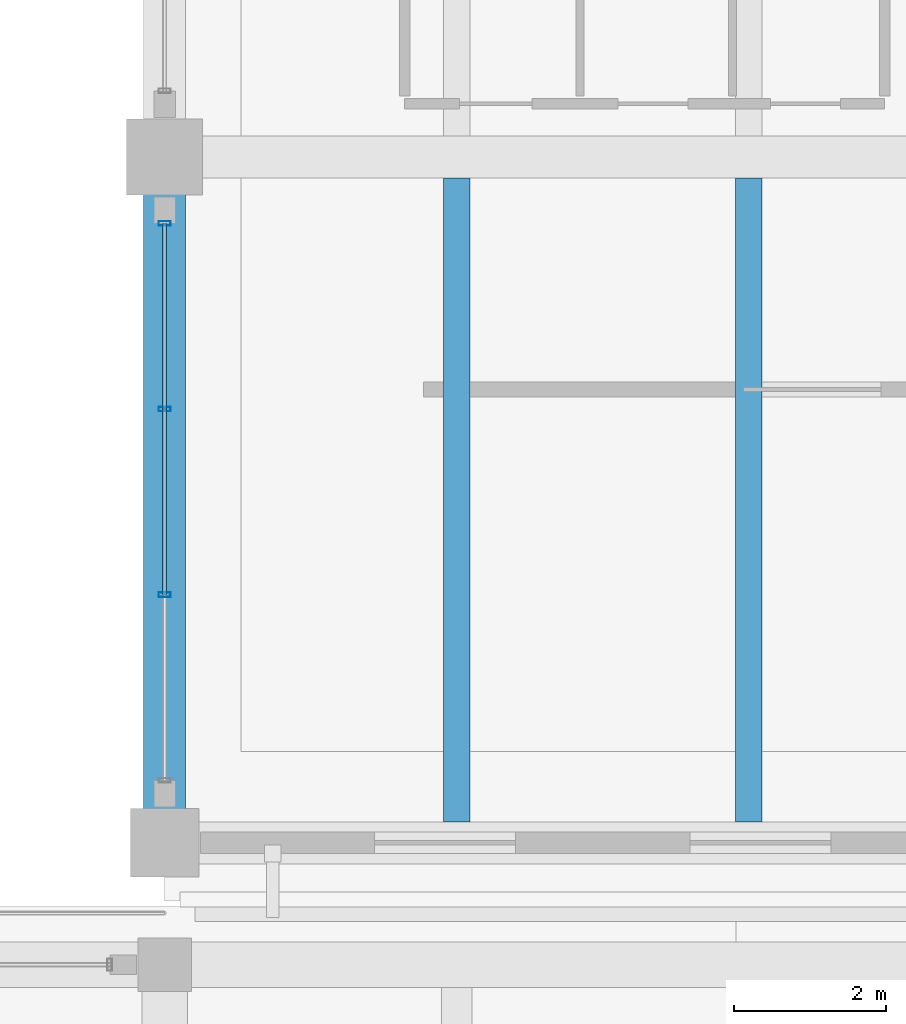
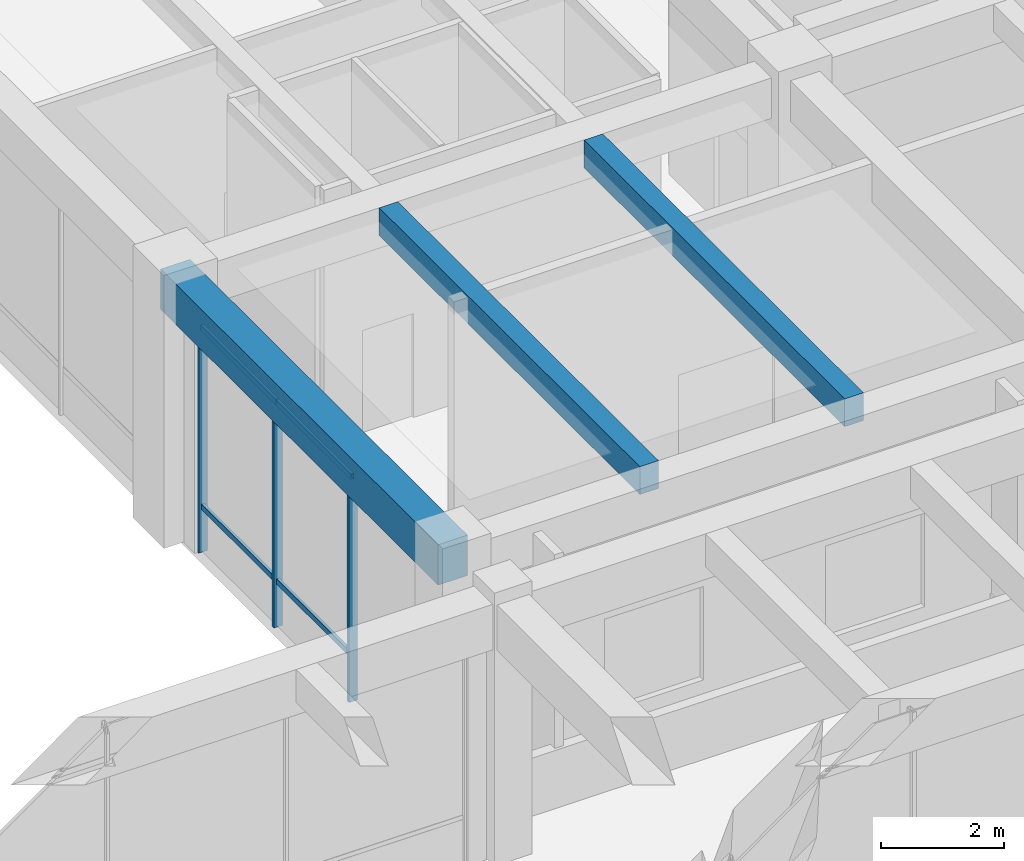
# One storey, part 76 of 148: 7 members, 3 beams, 1 element without a shape of its own.
"""IFC4 building model written with IfcOpenShell, lengths in metres."""

from ifc_helpers import new_model, si_unit, direction, frame, origin, origin_2d, place, context, subcontext, project, spatial, rectangle, hollow_rectangle, extrude, material, material_profile, profile_set, type_object, element, aggregate, save


model = new_model("IFC4")

# Units and contexts
model_context = context("Model", 3, precision=1e-05, world=origin(), true_north=direction((0.0, 1.0)))
body_context = subcontext(model_context, "Body", "Model", "MODEL_VIEW")
ifc_project = project(units=[si_unit("LENGTHUNIT", "METRE"), si_unit("AREAUNIT", "SQUARE_METRE"), si_unit("VOLUMEUNIT", "CUBIC_METRE"), si_unit("PLANEANGLEUNIT", "RADIAN"), si_unit("MASSUNIT", "GRAM", prefix="KILO")], contexts=[model_context])

# Site, building, storey
site_placement = place(None, origin())
site = spatial("IfcSite", under=ifc_project, at=site_placement, CompositionType="ELEMENT")
building_placement = place(site_placement, origin())
building = spatial("IfcBuilding", under=site, at=building_placement, Name="Ologun Quay Terminus", CompositionType="ELEMENT")
storey_placement = place(building_placement, frame((0.0, 0.0, 8.39990234375)))
storey = spatial("IfcBuildingStorey", under=building, at=storey_placement, Name="L02", CompositionType="ELEMENT", Elevation=8.39990234375)

# Curtain wall, members
ifc_material_1 = material(Name="Aluminium 6063-T6", Category="aluminium")
curtain_wall_type = type_object("IfcCurtainWallType", Name="Rain-Garden East Courtyard Curtain Wall L02 9200x5000", PredefinedType="USERDEFINED", material=ifc_material_1)
curtain_wall_placement = place(storey_placement, origin())
curtain_wall = element("IfcCurtainWall", 1, at=curtain_wall_placement, inside=storey, type_object=curtain_wall_type, Name="CW-19 Curtain Wall CW-L02-135", ObjectType="UNITISED CURTAIN WALL", PredefinedType="USERDEFINED")
ifc_material_2 = material(Name="Aluminium 6063-T6", Category="aluminium")
ifc_material_profile_1 = material_profile(ifc_material_2, hollow_rectangle(XDim=0.06005859375, YDim=0.159912109375, WallThickness=0.00390625, at=origin_2d()), Name="ALU 160x60x4")
ifc_profile_set_1 = profile_set([ifc_material_profile_1], Name="Aluminium 6063-T6")
member_type_1 = type_object("IfcMemberType", Name="Courtyard Screen Mullion 160x65", PredefinedType="MULLION", material=ifc_profile_set_1)
member_1_placement = place(storey_placement, frame((115.0, 89.056640625, 0.0), z_axis=(0.0, 0.0, 1.0), x_axis=(0.0, 1.0, 0.0)))
member_1 = element("IfcMember", 2, at=member_1_placement, type_object=member_type_1, Name="CW-L02-135 Mullion 2", PredefinedType="MULLION", context=body_context, shape_type="SweptSolid", body=[
    extrude(hollow_rectangle(XDim=0.06005859375, YDim=0.159912109375, WallThickness=0.00390625, at=origin_2d()), origin(), (0.0, 0.0, 1.0), 5.130126953125),
])
member_2_placement = place(storey_placement, frame((115.0, 91.493408203125, 0.0), z_axis=(0.0, 0.0, 1.0), x_axis=(0.0, 1.0, 0.0)))
member_2 = element("IfcMember", 3, at=member_2_placement, type_object=member_type_1, Name="CW-L02-135 Mullion 3", PredefinedType="MULLION", context=body_context, shape_type="SweptSolid", body=[
    extrude(hollow_rectangle(XDim=0.06005859375, YDim=0.159912109375, WallThickness=0.00390625, at=origin_2d()), origin(), (0.0, 0.0, 1.0), 5.130126953125),
])
member_3_placement = place(storey_placement, frame((115.0, 93.929931640625, 0.0), z_axis=(0.0, 0.0, 1.0), x_axis=(0.0, 1.0, 0.0)))
member_3 = element("IfcMember", 4, at=member_3_placement, type_object=member_type_1, Name="CW-L02-135 Mullion 4", PredefinedType="MULLION", context=body_context, shape_type="SweptSolid", body=[
    extrude(hollow_rectangle(XDim=0.06005859375, YDim=0.159912109375, WallThickness=0.00390625, at=origin_2d()), origin(), (0.0, 0.0, 1.0), 5.130126953125),
])
ifc_material_3 = material(Name="Aluminium 6063-T6", Category="aluminium")
ifc_material_profile_2 = material_profile(ifc_material_3, hollow_rectangle(XDim=0.054931640625, YDim=0.110107421875, WallThickness=0.00390625, at=origin_2d()), Name="ALU 110x55x4")
ifc_profile_set_2 = profile_set([ifc_material_profile_2], Name="Aluminium 6063-T6")
member_type_2 = type_object("IfcMemberType", Name="Courtyard Screen Transom 110x55", PredefinedType="USERDEFINED", material=ifc_profile_set_2)
member_4_placement = place(storey_placement, frame((115.0, 89.056640625, 0.900146484375), z_axis=(0.0, 1.0, 0.0), x_axis=(-1.0, 0.0, 0.0)))
member_4 = element("IfcMember", 5, at=member_4_placement, type_object=member_type_2, Name="CW-L02-135 Transom B2-1", ObjectType="TRANSOM", PredefinedType="USERDEFINED", context=body_context, shape_type="SweptSolid", body=[
    extrude(hollow_rectangle(XDim=0.054931640625, YDim=0.110107421875, WallThickness=0.00390625, at=origin_2d()), origin(), (0.0, 0.0, 1.0), 2.436767578125),
])
member_5_placement = place(storey_placement, frame((115.0, 89.056640625, 4.43017578125), z_axis=(0.0, 1.0, 0.0), x_axis=(-1.0, 0.0, 0.0)))
member_5 = element("IfcMember", 6, at=member_5_placement, type_object=member_type_2, Name="CW-L02-135 Transom B2-2", ObjectType="TRANSOM", PredefinedType="USERDEFINED", context=body_context, shape_type="SweptSolid", body=[
    extrude(hollow_rectangle(XDim=0.054931640625, YDim=0.110107421875, WallThickness=0.00390625, at=origin_2d()), origin(), (0.0, 0.0, 1.0), 2.436767578125),
])
member_6_placement = place(storey_placement, frame((115.0, 91.493408203125, 0.900146484375), z_axis=(0.0, 1.0, 0.0), x_axis=(-1.0, 0.0, 0.0)))
member_6 = element("IfcMember", 7, at=member_6_placement, type_object=member_type_2, Name="CW-L02-135 Transom B3-1", ObjectType="TRANSOM", PredefinedType="USERDEFINED", context=body_context, shape_type="SweptSolid", body=[
    extrude(hollow_rectangle(XDim=0.054931640625, YDim=0.110107421875, WallThickness=0.00390625, at=origin_2d()), origin(), (0.0, 0.0, 1.0), 2.4365234375),
])
member_7_placement = place(storey_placement, frame((115.0, 91.493408203125, 4.43017578125), z_axis=(0.0, 1.0, 0.0), x_axis=(-1.0, 0.0, 0.0)))
member_7 = element("IfcMember", 8, at=member_7_placement, type_object=member_type_2, Name="CW-L02-135 Transom B3-2", ObjectType="TRANSOM", PredefinedType="USERDEFINED", context=body_context, shape_type="SweptSolid", body=[
    extrude(hollow_rectangle(XDim=0.054931640625, YDim=0.110107421875, WallThickness=0.00390625, at=origin_2d()), origin(), (0.0, 0.0, 1.0), 2.4365234375),
])
aggregate(curtain_wall, [member_1, member_2, member_3, member_4, member_5, member_6, member_7])

# Beams
ifc_material_4 = material(Name="Concrete C40/50", Category="concrete")
ifc_material_profile_3 = material_profile(ifc_material_4, rectangle(XDim=0.550048828125, YDim=0.800048828125, at=origin_2d()), Name="RC 550x800")
ifc_profile_set_3 = profile_set([ifc_material_profile_3], Name="Concrete C40/50")
beam_type_1 = type_object("IfcBeamType", Name="Courtyard Wing Primary Girder 550x800", PredefinedType="BEAM", material=ifc_profile_set_3)
beam_placement = place(storey_placement, frame((115.0, 85.800048828125, 4.75), z_axis=(0.0, 1.0, 0.0), x_axis=(-1.0, 0.0, 0.0)))
element("IfcBeam", 9, at=beam_placement, inside=storey, type_object=beam_type_1, Name="B4 Beam 11/G2 L02", PredefinedType="BEAM", context=body_context, shape_type="SweptSolid", body=[
    extrude(rectangle(XDim=0.550048828125, YDim=0.800048828125, at=origin_2d()), origin(), (0.0, 0.0, 1.0), 9.0),
])
ifc_material_5 = material(Name="Concrete C40/50", Category="concrete")
ifc_material_profile_4 = material_profile(ifc_material_5, rectangle(XDim=0.35009765625, YDim=0.550048828125, at=origin_2d()), Name="RC 350x550")
ifc_profile_set_4 = profile_set([ifc_material_profile_4], Name="Concrete C40/50")
beam_type_2 = type_object("IfcBeamType", Name="Courtyard Wing Secondary Joist 350x550", PredefinedType="JOIST", material=ifc_profile_set_4)
for number, where, z_axis, x_axis, name in (
    (10, (118.833251953125, 86.074951171875, 4.875), (0.0, 1.0, 0.0), (-1.0, 0.0, 0.0), "J2 Beam 11/G2 L02"),
    (11, (122.666748046875, 86.074951171875, 4.875), (0.0, 1.0, 0.0), (-1.0, 0.0, 0.0), "J2 Beam 11/G2 L02"),
):
    element("IfcBeam", number, at=place(storey_placement, frame(where, z_axis=z_axis, x_axis=x_axis)), inside=storey, type_object=beam_type_2, Name=name, PredefinedType="JOIST", context=body_context, shape_type="SweptSolid", body=[
        extrude(rectangle(XDim=0.35009765625, YDim=0.550048828125, at=origin_2d()), origin(), (0.0, 0.0, 1.0), 8.449951171875),
    ])

save(model, "model.ifc")
